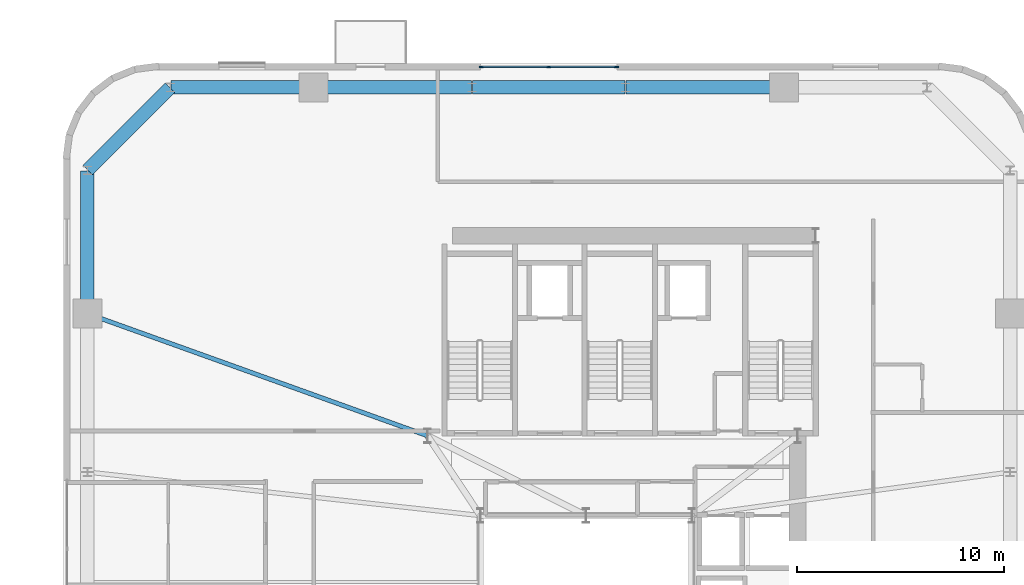
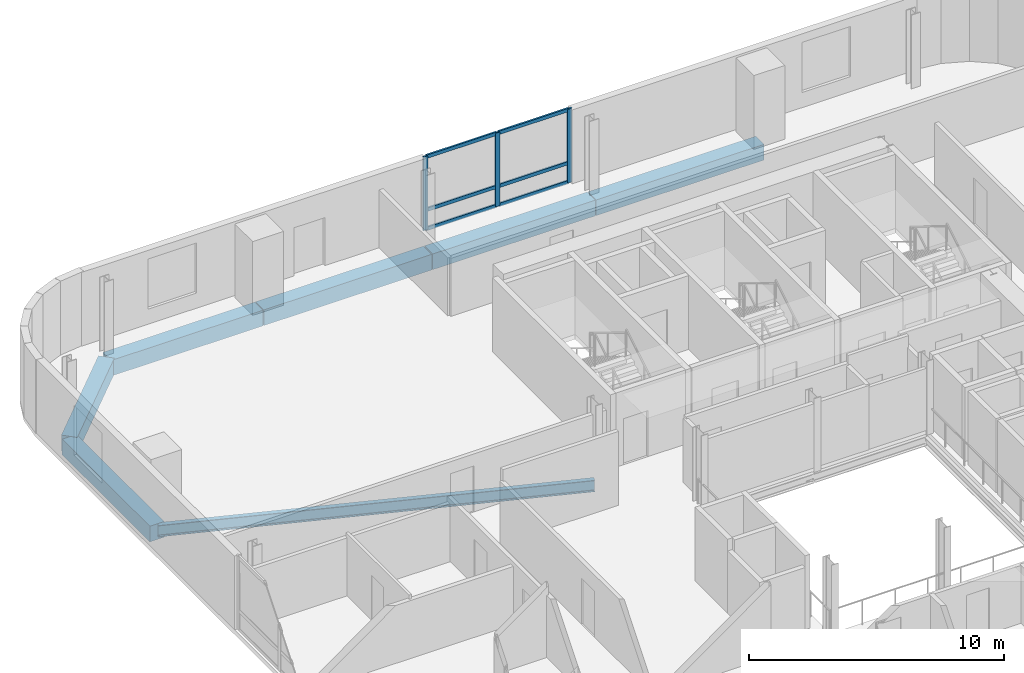
# One storey, part 6 of 16: 9 members, 7 beams, 1 element without a shape of its own.
"""IFC4 building model written with IfcOpenShell, lengths in metres."""

from ifc_helpers import new_model, si_unit, direction, frame, origin, origin_2d, place, context, subcontext, project, spatial, rectangle, i_section, extrude, source, transform, mapped, material, material_profile, profile_set, type_object, element, aggregate, save


model = new_model("IFC4")

# Units and contexts
model_context = context("Model", 3, precision=1e-05, world=origin(), true_north=direction((0.0, 1.0)))
body_context = subcontext(model_context, "Body", "Model", "MODEL_VIEW")
ifc_project = project(units=[si_unit("LENGTHUNIT", "METRE"), si_unit("AREAUNIT", "SQUARE_METRE"), si_unit("VOLUMEUNIT", "CUBIC_METRE"), si_unit("PLANEANGLEUNIT", "RADIAN"), si_unit("MASSUNIT", "GRAM", prefix="KILO")], contexts=[model_context])

# Site, building, storey
site_placement = place(None, origin())
site = spatial("IfcSite", under=ifc_project, at=site_placement, CompositionType="ELEMENT")
building_placement = place(site_placement, origin())
building = spatial("IfcBuilding", under=site, at=building_placement, Name="Vardaveli Station Tower", CompositionType="ELEMENT")
storey_placement = place(building_placement, frame((0.0, 0.0, 222.300048828125)))
storey = spatial("IfcBuildingStorey", under=building, at=storey_placement, Name="L57", CompositionType="ELEMENT", Elevation=222.300048828125)

# Beams
ifc_material_1 = material(Name="Precast concrete C45/55", Category="concrete")
ifc_material_profile_1 = material_profile(ifc_material_1, rectangle(XDim=0.64990234375, YDim=0.75, at=origin_2d()), Name="LPB 650x750")
ifc_profile_set_1 = profile_set([ifc_material_profile_1], Name="Precast concrete C45/55")
beam_type_1 = type_object("IfcBeamType", Name="BM-LPB-750", PredefinedType="BEAM", material=ifc_profile_set_1)
shared_shape_1 = source(origin(), body_context, "Body", "SweptSolid", [
    extrude(rectangle(XDim=0.64990234375, YDim=0.75, at=origin_2d()), origin(), (0.0, 0.0, 1.0), 7.60009765625),
])
for number, where, z_axis, x_axis, name in (
    (1, (45.820068359375, 47.449951171875, -0.594970703125), (-1.0, 0.0, 0.0), (0.0, -1.0, 0.0), "RBM-L57-13"),
    (2, (30.780029296875, 47.449951171875, -0.594970703125), (-1.0, 0.0, 0.0), (0.0, -1.0, 0.0), "RBM-L57-15"),
):
    element("IfcBeam", number, at=place(storey_placement, frame(where, z_axis=z_axis, x_axis=x_axis)), inside=storey, type_object=beam_type_1, Name=name, PredefinedType="BEAM", context=body_context, shape_type="MappedRepresentation", body=[
        mapped(shared_shape_1, transform((0.0, 0.0, 0.0), scale=1.0)),
    ])
shared_shape_2 = source(origin(), body_context, "Body", "SweptSolid", [
    extrude(rectangle(XDim=0.64990234375, YDim=0.75, at=origin_2d()), origin(), (0.0, 0.0, 1.0), 7.35986328125),
])
beam_1_placement = place(storey_placement, frame((38.179931640625, 47.449951171875, -0.594970703125), z_axis=(-1.0, 0.0, 0.0), x_axis=(0.0, -1.0, 0.0)))
element("IfcBeam", 3, at=beam_1_placement, inside=storey, type_object=beam_type_1, Name="RBM-L57-14", PredefinedType="BEAM", context=body_context, shape_type="MappedRepresentation", body=[
    mapped(shared_shape_2, transform((0.0, 0.0, 0.0), scale=1.0)),
])
shared_shape_3 = source(origin(), body_context, "Body", "SweptSolid", [
    extrude(rectangle(XDim=0.64990234375, YDim=0.75, at=origin_2d()), origin(), (0.0, 0.0, 1.0), 6.869873046875),
])
for number, where, z_axis, x_axis, name in (
    (4, (23.139892578125, 47.449951171875, -0.594970703125), (-1.0, 0.0, 0.0), (0.0, -1.0, 0.0), "RBM-L57-16"),
    (5, (12.25, 43.429931640625, -0.594970703125), (0.0, -1.0, 0.0), (1.0, 0.0, 0.0), "RBM-L57-18"),
):
    element("IfcBeam", number, at=place(storey_placement, frame(where, z_axis=z_axis, x_axis=x_axis)), inside=storey, type_object=beam_type_1, Name=name, PredefinedType="BEAM", context=body_context, shape_type="MappedRepresentation", body=[
        mapped(shared_shape_3, transform((0.0, 0.0, 0.0), scale=1.0)),
    ])
shared_shape_4 = source(origin(), body_context, "Body", "SweptSolid", [
    extrude(rectangle(XDim=0.64990234375, YDim=0.75, at=origin_2d()), origin(), (0.0, 0.0, 1.0), 5.61669921875),
])
beam_2_placement = place(storey_placement, frame((16.23583984375, 47.435791015625, -0.594970703125), z_axis=(-0.707106781187, -0.707106781187, 0.0), x_axis=(0.707106781187, -0.707106781187, 0.0)))
element("IfcBeam", 6, at=beam_2_placement, inside=storey, type_object=beam_type_1, Name="RBM-L57-17", PredefinedType="BEAM", context=body_context, shape_type="MappedRepresentation", body=[
    mapped(shared_shape_4, transform((0.0, 0.0, 0.0), scale=1.0)),
])
ifc_material_2 = material(Name="Structural steel S355J2", Category="steel")
ifc_material_profile_2 = material_profile(ifc_material_2, i_section(OverallWidth=0.2099609375, OverallDepth=0.550048828125, WebThickness=0.010986328125, FlangeThickness=0.01708984375, FilletRadius=0.02392578125, at=origin_2d()), Name="IPE 550")
ifc_profile_set_2 = profile_set([ifc_material_profile_2], Name="Structural steel S355J2")
beam_type_2 = type_object("IfcBeamType", Name="BM-IPE550", PredefinedType="BEAM", material=ifc_profile_set_2)
shared_shape_5 = source(origin(), body_context, "Body", "SweptSolid", [
    extrude(i_section(OverallWidth=0.2099609375, OverallDepth=0.550048828125, WebThickness=0.010986328125, FlangeThickness=0.01708984375, FilletRadius=0.02392578125, at=origin_2d()), origin(), (0.0, 0.0, 1.0), 17.385498046875),
])
beam_3_placement = place(storey_placement, frame((12.268798828125, 36.533203125, -0.4951171875), z_axis=(0.941143134401, -0.338008284766, 0.0), x_axis=(0.338008284766, 0.941143134401, 0.0)))
element("IfcBeam", 7, at=beam_3_placement, inside=storey, type_object=beam_type_2, Name="GBM-L57-12", PredefinedType="BEAM", context=body_context, shape_type="MappedRepresentation", body=[
    mapped(shared_shape_5, transform((0.0, 0.0, 0.0), scale=1.0)),
])

# Curtain wall, members
ifc_material_3 = material(Name="Travertine stone and solar-control glass", Category="masonry")
curtain_wall_type = type_object("IfcCurtainWallType", Name="CW-SYS-5", PredefinedType="NOTDEFINED", material=ifc_material_3)
curtain_wall_placement = place(storey_placement, origin())
curtain_wall = element("IfcCurtainWall", 8, at=curtain_wall_placement, inside=storey, type_object=curtain_wall_type, Name="CW-L57-N", PredefinedType="NOTDEFINED")
ifc_material_4 = material(Name="Anodised aluminium alloy 6063-T6", Category="aluminium")
ifc_material_profile_3 = material_profile(ifc_material_4, rectangle(XDim=0.080078125, YDim=0.1650390625, at=origin_2d()), Name="CWT 80x165")
ifc_profile_set_3 = profile_set([ifc_material_profile_3], Name="Anodised aluminium alloy 6063-T6")
member_type_1 = type_object("IfcMemberType", Name="CW-SYS-5-TRAN", PredefinedType="NOTDEFINED", material=ifc_profile_set_3)
shared_shape_6 = source(origin(), body_context, "Body", "SweptSolid", [
    extrude(rectangle(XDim=0.080078125, YDim=0.1650390625, at=origin_2d()), origin(), (0.0, 0.0, 1.0), 3.179931640625),
])
member_1_placement = place(storey_placement, frame((37.719970703125, 48.43994140625, 0.0400390625), z_axis=(-1.0, 0.0, 0.0), x_axis=(0.0, -1.0, 0.0)))
member_1 = element("IfcMember", 9, at=member_1_placement, type_object=member_type_1, Name="CW-5 transom 1.1", ObjectType="TRANSOM", PredefinedType="USERDEFINED", context=body_context, shape_type="MappedRepresentation", body=[
    mapped(shared_shape_6, transform((0.0, 0.0, 0.0), scale=1.0)),
])
member_2_placement = place(storey_placement, frame((37.719970703125, 48.43994140625, 0.949951171875), z_axis=(-1.0, 0.0, 0.0), x_axis=(0.0, -1.0, 0.0)))
member_2 = element("IfcMember", 10, at=member_2_placement, type_object=member_type_1, Name="CW-5 transom 1.2", ObjectType="TRANSOM", PredefinedType="USERDEFINED", context=body_context, shape_type="MappedRepresentation", body=[
    mapped(shared_shape_6, transform((0.0, 0.0, 0.0), scale=1.0)),
])
member_3_placement = place(storey_placement, frame((37.719970703125, 48.43994140625, 3.489990234375), z_axis=(-1.0, 0.0, 0.0), x_axis=(0.0, -1.0, 0.0)))
member_3 = element("IfcMember", 11, at=member_3_placement, type_object=member_type_1, Name="CW-5 transom 1.3", ObjectType="TRANSOM", PredefinedType="USERDEFINED", context=body_context, shape_type="MappedRepresentation", body=[
    mapped(shared_shape_6, transform((0.0, 0.0, 0.0), scale=1.0)),
])
member_4_placement = place(storey_placement, frame((34.4599609375, 48.43994140625, 0.0400390625), z_axis=(-1.0, 0.0, 0.0), x_axis=(0.0, -1.0, 0.0)))
member_4 = element("IfcMember", 12, at=member_4_placement, type_object=member_type_1, Name="CW-5 transom 2.1", ObjectType="TRANSOM", PredefinedType="USERDEFINED", context=body_context, shape_type="MappedRepresentation", body=[
    mapped(shared_shape_6, transform((0.0, 0.0, 0.0), scale=1.0)),
])
member_5_placement = place(storey_placement, frame((34.4599609375, 48.43994140625, 0.949951171875), z_axis=(-1.0, 0.0, 0.0), x_axis=(0.0, -1.0, 0.0)))
member_5 = element("IfcMember", 13, at=member_5_placement, type_object=member_type_1, Name="CW-5 transom 2.2", ObjectType="TRANSOM", PredefinedType="USERDEFINED", context=body_context, shape_type="MappedRepresentation", body=[
    mapped(shared_shape_6, transform((0.0, 0.0, 0.0), scale=1.0)),
])
member_6_placement = place(storey_placement, frame((34.4599609375, 48.43994140625, 3.489990234375), z_axis=(-1.0, 0.0, 0.0), x_axis=(0.0, -1.0, 0.0)))
member_6 = element("IfcMember", 14, at=member_6_placement, type_object=member_type_1, Name="CW-5 transom 2.3", ObjectType="TRANSOM", PredefinedType="USERDEFINED", context=body_context, shape_type="MappedRepresentation", body=[
    mapped(shared_shape_6, transform((0.0, 0.0, 0.0), scale=1.0)),
])
ifc_material_profile_4 = material_profile(ifc_material_4, rectangle(XDim=0.080078125, YDim=0.205078125, at=origin_2d()), Name="CWM 80x205")
ifc_profile_set_4 = profile_set([ifc_material_profile_4], Name="Anodised aluminium alloy 6063-T6")
member_type_2 = type_object("IfcMemberType", Name="CW-SYS-5-MULL", PredefinedType="MULLION", material=ifc_profile_set_4)
shared_shape_7 = source(origin(), body_context, "Body", "SweptSolid", [
    extrude(rectangle(XDim=0.080078125, YDim=0.205078125, at=origin_2d()), origin(), (0.0, 0.0, 1.0), 3.530029296875),
])
member_7_placement = place(storey_placement, frame((37.760009765625, 48.43994140625, 0.0), z_axis=(0.0, 0.0, 1.0), x_axis=(0.0, -1.0, 0.0)))
member_7 = element("IfcMember", 15, at=member_7_placement, type_object=member_type_2, Name="CW-5 mullion 1", PredefinedType="MULLION", context=body_context, shape_type="MappedRepresentation", body=[
    mapped(shared_shape_7, transform((0.0, 0.0, 0.0), scale=1.0)),
])
member_8_placement = place(storey_placement, frame((34.5, 48.43994140625, 0.0), z_axis=(0.0, 0.0, 1.0), x_axis=(0.0, -1.0, 0.0)))
member_8 = element("IfcMember", 16, at=member_8_placement, type_object=member_type_2, Name="CW-5 mullion 2", PredefinedType="MULLION", context=body_context, shape_type="MappedRepresentation", body=[
    mapped(shared_shape_7, transform((0.0, 0.0, 0.0), scale=1.0)),
])
member_9_placement = place(storey_placement, frame((31.239990234375, 48.43994140625, 0.0), z_axis=(0.0, 0.0, 1.0), x_axis=(0.0, -1.0, 0.0)))
member_9 = element("IfcMember", 17, at=member_9_placement, type_object=member_type_2, Name="CW-5 mullion 3", PredefinedType="MULLION", context=body_context, shape_type="MappedRepresentation", body=[
    mapped(shared_shape_7, transform((0.0, 0.0, 0.0), scale=1.0)),
])
aggregate(curtain_wall, [member_7, member_8, member_9, member_1, member_2, member_3, member_4, member_5, member_6])

save(model, "model.ifc")
